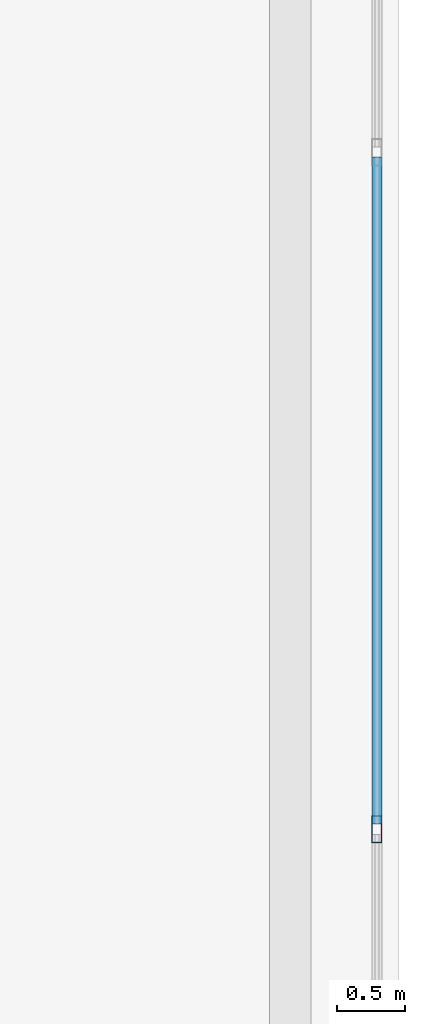
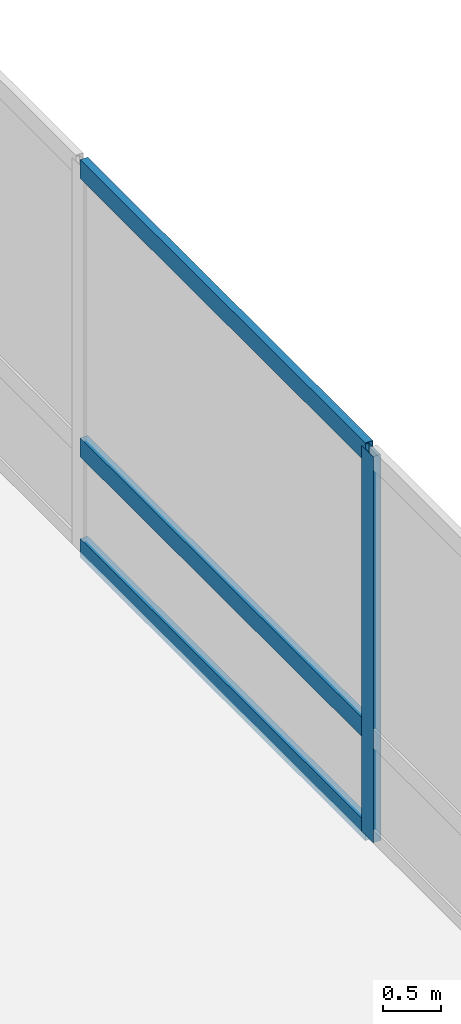
# One storey, part 21 of 40: 4 members, 1 element without a shape of its own.
"""IFC4 building model written with IfcOpenShell, lengths in metres."""

from ifc_helpers import new_model, si_unit, direction, frame, origin, origin_2d, place, context, subcontext, project, spatial, hollow_rectangle, extrude, material, layer, layer_set, material_profile, profile_set, type_object, element, aggregate, save


model = new_model("IFC4")

# Units and contexts
model_context = context("Model", 3, precision=1e-05, world=origin(), true_north=direction((0.0, 1.0)))
body_context = subcontext(model_context, "Body", "Model", "MODEL_VIEW")
ifc_project = project(units=[si_unit("LENGTHUNIT", "METRE"), si_unit("AREAUNIT", "SQUARE_METRE"), si_unit("VOLUMEUNIT", "CUBIC_METRE"), si_unit("PLANEANGLEUNIT", "RADIAN"), si_unit("MASSUNIT", "GRAM", prefix="KILO")], contexts=[model_context])

# Site, building, storey
site_placement = place(None, origin())
site = spatial("IfcSite", under=ifc_project, at=site_placement, CompositionType="ELEMENT")
building_placement = place(site_placement, origin())
building = spatial("IfcBuilding", under=site, at=building_placement, Name="Varnelok Gate Tower", CompositionType="ELEMENT")
storey_placement = place(building_placement, frame((0.0, 0.0, 5.39990234375)))
storey = spatial("IfcBuildingStorey", under=building, at=storey_placement, Name="L01", CompositionType="ELEMENT", Elevation=5.39990234375)

# Curtain wall, members
ifc_material = material(Name="Anodized Aluminum Alloy 6063-T6", Category="aluminium")
ifc_layer = layer(ifc_material, 0.179931640625)
ifc_layer_set = layer_set([ifc_layer], Name="Anodized Aluminum Alloy 6063-T6")
curtain_wall_type = type_object("IfcCurtainWallType", Name="CW1-ARCH-PORTAL", PredefinedType="USERDEFINED", material=ifc_layer_set)
curtain_wall_placement = place(storey_placement, origin())
curtain_wall = element("IfcCurtainWall", 1, at=curtain_wall_placement, inside=storey, type_object=curtain_wall_type, Name="L01 Podium Portal Curtain Wall E", ObjectType="UNITISED CURTAIN WALL", PredefinedType="USERDEFINED")
ifc_material_profile_1 = material_profile(ifc_material, hollow_rectangle(XDim=0.074951171875, YDim=0.199951171875, WallThickness=0.00390625, at=origin_2d()), Name="ALU200X75X4")
ifc_profile_set_1 = profile_set([ifc_material_profile_1], Name="Anodized Aluminum Alloy 6063-T6")
member_type_1 = type_object("IfcMemberType", Name="CW-MULL-200", PredefinedType="MULLION", material=ifc_profile_set_1)
member_1_placement = place(storey_placement, frame((78.239990234375, 20.199951171875, 0.0), z_axis=(0.0, 0.0, 1.0), x_axis=(1.0, 0.0, 0.0)))
member_1 = element("IfcMember", 2, at=member_1_placement, type_object=member_type_1, Name="CW1 mullion 4", PredefinedType="MULLION", context=body_context, shape_type="SweptSolid", body=[
    extrude(hollow_rectangle(XDim=0.074951171875, YDim=0.199951171875, WallThickness=0.00390625, at=origin_2d()), origin(), (0.0, 0.0, 1.0), 4.070068359375),
])
ifc_material_profile_2 = material_profile(ifc_material, hollow_rectangle(XDim=0.074951171875, YDim=0.199951171875, WallThickness=0.00390625, at=origin_2d()), Name="ALU200X75X4")
ifc_profile_set_2 = profile_set([ifc_material_profile_2], Name="Anodized Aluminum Alloy 6063-T6")
member_type_2 = type_object("IfcMemberType", Name="CW-TRAN-200", PredefinedType="USERDEFINED", material=ifc_profile_set_2)
member_2_placement = place(storey_placement, frame((78.239990234375, 25.16259765625, 0.03759765625), z_axis=(0.0, -1.0, 0.0), x_axis=(1.0, 0.0, 0.0)))
member_2 = element("IfcMember", 3, at=member_2_placement, type_object=member_type_2, Name="CW1 transom 3.1", ObjectType="TRANSOM", PredefinedType="USERDEFINED", context=body_context, shape_type="SweptSolid", body=[
    extrude(hollow_rectangle(XDim=0.074951171875, YDim=0.199951171875, WallThickness=0.00390625, at=origin_2d()), origin(), (0.0, 0.0, 1.0), 4.925048828125),
])
member_3_placement = place(storey_placement, frame((78.239990234375, 25.16259765625, 1.10009765625), z_axis=(0.0, -1.0, 0.0), x_axis=(1.0, 0.0, 0.0)))
member_3 = element("IfcMember", 4, at=member_3_placement, type_object=member_type_2, Name="CW1 transom 3.2", ObjectType="TRANSOM", PredefinedType="USERDEFINED", context=body_context, shape_type="SweptSolid", body=[
    extrude(hollow_rectangle(XDim=0.074951171875, YDim=0.199951171875, WallThickness=0.00390625, at=origin_2d()), origin(), (0.0, 0.0, 1.0), 4.925048828125),
])
member_4_placement = place(storey_placement, frame((78.239990234375, 25.16259765625, 4.03271484375), z_axis=(0.0, -1.0, 0.0), x_axis=(1.0, 0.0, 0.0)))
member_4 = element("IfcMember", 5, at=member_4_placement, type_object=member_type_2, Name="CW1 transom 3.3", ObjectType="TRANSOM", PredefinedType="USERDEFINED", context=body_context, shape_type="SweptSolid", body=[
    extrude(hollow_rectangle(XDim=0.074951171875, YDim=0.199951171875, WallThickness=0.00390625, at=origin_2d()), origin(), (0.0, 0.0, 1.0), 4.925048828125),
])
aggregate(curtain_wall, [member_1, member_2, member_3, member_4])

save(model, "model.ifc")
